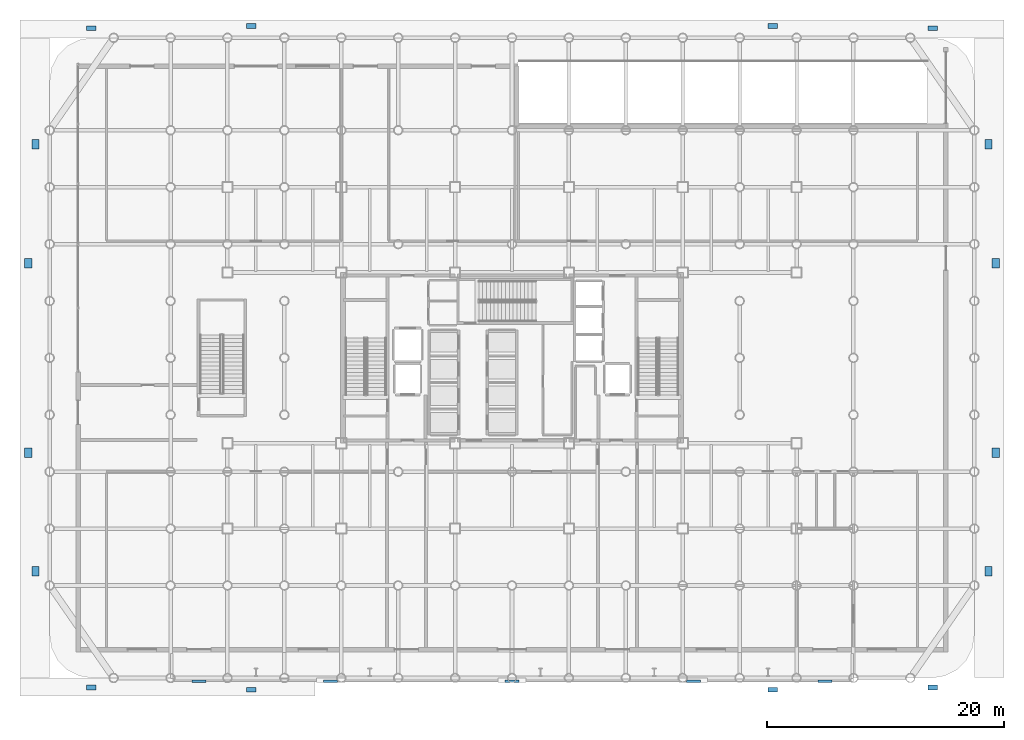
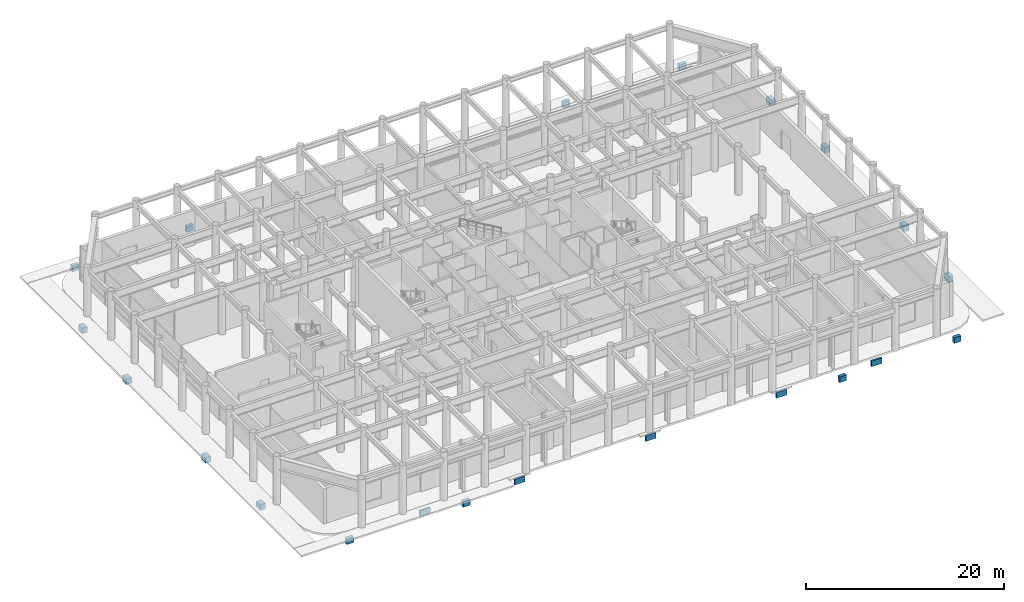
# One storey, part 1 of 23: 21 footings.
"""IFC4 building model written with IfcOpenShell, lengths in metres."""

from ifc_helpers import new_model, si_unit, direction, frame, origin, origin_2d, place, context, subcontext, project, spatial, rectangle, extrude, material, type_object, element, save


model = new_model("IFC4")

# Units and contexts
model_context = context("Model", 3, precision=1e-05, world=origin(), true_north=direction((0.0, 1.0)))
body_context = subcontext(model_context, "Body", "Model", "MODEL_VIEW")
ifc_project = project(units=[si_unit("LENGTHUNIT", "METRE"), si_unit("AREAUNIT", "SQUARE_METRE"), si_unit("VOLUMEUNIT", "CUBIC_METRE"), si_unit("PLANEANGLEUNIT", "RADIAN"), si_unit("MASSUNIT", "GRAM", prefix="KILO")], contexts=[model_context])

# Site, building, storey
site_placement = place(None, origin())
site = spatial("IfcSite", under=ifc_project, at=site_placement, CompositionType="ELEMENT")
building_placement = place(site_placement, origin())
building = spatial("IfcBuilding", under=site, at=building_placement, Name="Kallvorn Hotel Tower", CompositionType="ELEMENT")
storey_placement = place(building_placement, origin())
storey = spatial("IfcBuildingStorey", under=building, at=storey_placement, Name="L00", CompositionType="ELEMENT", Elevation=0.0)

# Footings
ifc_material_1 = material(Name="Concrete C40/50", Category="concrete")
footing_type_1 = type_object("IfcFootingType", Name="FT_PAD_CANOPY_2400", PredefinedType="PAD_FOOTING", material=ifc_material_1)
for number, where, z_axis, x_axis, name in (
    (1, (-15.300048828125, -27.280029296875, -0.89990234375), (0.0, 0.0, 1.0), (1.0, 0.0, 0.0), "Plaza Approach Pad Footing 1"),
    (2, (0.0, -27.280029296875, -0.89990234375), (0.0, 0.0, 1.0), (1.0, 0.0, 0.0), "Plaza Approach Pad Footing 2"),
    (3, (15.300048828125, -27.280029296875, -0.89990234375), (0.0, 0.0, 1.0), (1.0, 0.0, 0.0), "Plaza Approach Pad Footing 3"),
    (4, (-26.39990234375, -27.280029296875, -0.89990234375), (0.0, 0.0, 1.0), (1.0, 0.0, 0.0), "Plaza Approach Pad Footing 4"),
    (5, (26.39990234375, -27.280029296875, -0.89990234375), (0.0, 0.0, 1.0), (1.0, 0.0, 0.0), "Plaza Approach Pad Footing 5"),
):
    element("IfcFooting", number, at=place(storey_placement, frame(where, z_axis=z_axis, x_axis=x_axis)), inside=storey, type_object=footing_type_1, Name=name, PredefinedType="PAD_FOOTING", context=body_context, shape_type="SweptSolid", body=[
        extrude(rectangle(XDim=1.199951171875, YDim=0.199951171875, at=origin_2d()), origin(), (0.0, 0.0, 1.0), 0.699951171875),
    ])
ifc_material_2 = material(Name="Concrete C40/50", Category="concrete")
footing_type_2 = type_object("IfcFootingType", Name="FT_PAD_PLAZA_2000", PredefinedType="PAD_FOOTING", material=ifc_material_2)
for number, where, z_axis, x_axis, name in (
    (6, (-35.5, -27.800048828125, -0.89990234375), (0.0, 0.0, 1.0), (1.0, 0.0, 0.0), "Plaza Apron Support Pad Footing 01"),
    (7, (35.5, -27.800048828125, -0.89990234375), (0.0, 0.0, 1.0), (1.0, 0.0, 0.0), "Plaza Apron Support Pad Footing 02"),
    (8, (-22.0, -28.0, -0.89990234375), (0.0, 0.0, 1.0), (1.0, 0.0, 0.0), "Plaza Apron Support Pad Footing 03"),
    (9, (22.0, -28.0, -0.89990234375), (0.0, 0.0, 1.0), (1.0, 0.0, 0.0), "Plaza Apron Support Pad Footing 04"),
    (10, (-35.5, 27.800048828125, -0.89990234375), (0.0, 0.0, 1.0), (1.0, 0.0, 0.0), "Plaza Apron Support Pad Footing 05"),
    (11, (35.5, 27.800048828125, -0.89990234375), (0.0, 0.0, 1.0), (1.0, 0.0, 0.0), "Plaza Apron Support Pad Footing 06"),
    (12, (-22.0, 28.0, -0.89990234375), (0.0, 0.0, 1.0), (1.0, 0.0, 0.0), "Plaza Apron Support Pad Footing 07"),
    (13, (22.0, 28.0, -0.89990234375), (0.0, 0.0, 1.0), (1.0, 0.0, 0.0), "Plaza Apron Support Pad Footing 08"),
):
    element("IfcFooting", number, at=place(storey_placement, frame(where, z_axis=z_axis, x_axis=x_axis)), inside=storey, type_object=footing_type_2, Name=name, PredefinedType="PAD_FOOTING", context=body_context, shape_type="SweptSolid", body=[
        extrude(rectangle(XDim=0.800048828125, YDim=0.39990234375, at=origin_2d()), origin(), (0.0, 0.0, 1.0), 0.699951171875),
    ])
for number, where, z_axis, x_axis, name in (
    (14, (-40.199951171875, -18.0, -0.89990234375), (0.0, 0.0, 1.0), (1.0, 0.0, 0.0), "Plaza Apron Support Pad Footing 09"),
    (15, (-40.199951171875, 18.0, -0.89990234375), (0.0, 0.0, 1.0), (1.0, 0.0, 0.0), "Plaza Apron Support Pad Footing 10"),
    (16, (-40.800048828125, -8.0, -0.89990234375), (0.0, 0.0, 1.0), (1.0, 0.0, 0.0), "Plaza Apron Support Pad Footing 11"),
    (17, (-40.800048828125, 8.0, -0.89990234375), (0.0, 0.0, 1.0), (1.0, 0.0, 0.0), "Plaza Apron Support Pad Footing 12"),
    (18, (40.199951171875, -18.0, -0.89990234375), (0.0, 0.0, 1.0), (1.0, 0.0, 0.0), "Plaza Apron Support Pad Footing 13"),
    (19, (40.199951171875, 18.0, -0.89990234375), (0.0, 0.0, 1.0), (1.0, 0.0, 0.0), "Plaza Apron Support Pad Footing 14"),
    (20, (40.800048828125, -8.0, -0.89990234375), (0.0, 0.0, 1.0), (1.0, 0.0, 0.0), "Plaza Apron Support Pad Footing 15"),
    (21, (40.800048828125, 8.0, -0.89990234375), (0.0, 0.0, 1.0), (1.0, 0.0, 0.0), "Plaza Apron Support Pad Footing 16"),
):
    element("IfcFooting", number, at=place(storey_placement, frame(where, z_axis=z_axis, x_axis=x_axis)), inside=storey, type_object=footing_type_2, Name=name, PredefinedType="PAD_FOOTING", context=body_context, shape_type="SweptSolid", body=[
        extrude(rectangle(XDim=0.60009765625, YDim=0.800048828125, at=origin_2d()), origin(), (0.0, 0.0, 1.0), 0.699951171875),
    ])

save(model, "model.ifc")
